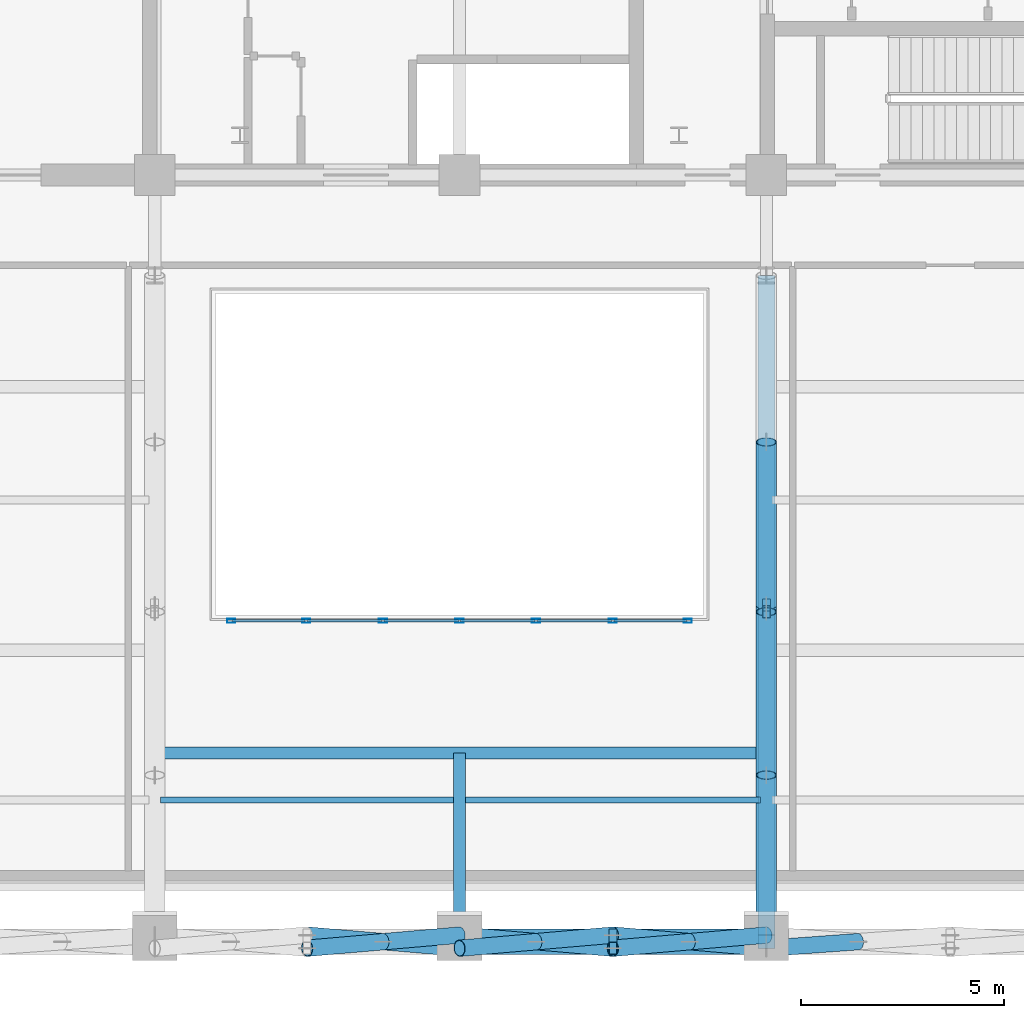
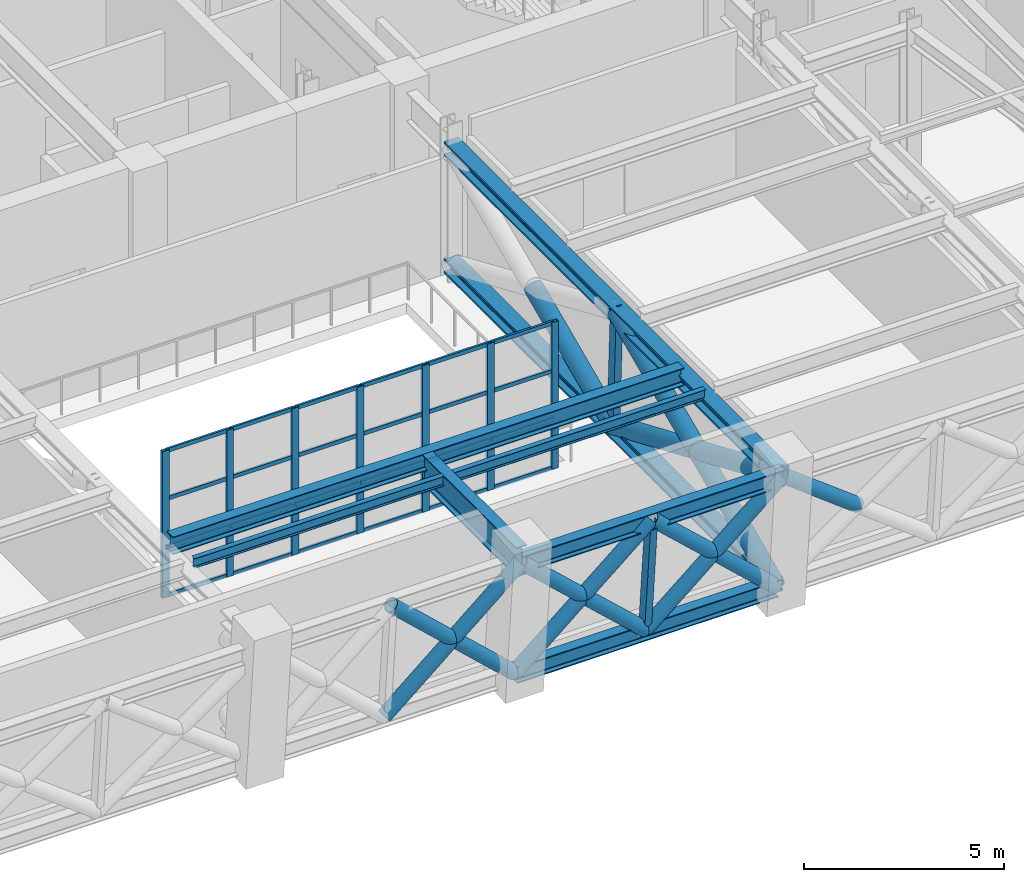
# One storey, part 2 of 12: 51 members, 4 beams, 1 element without a shape of its own.
"""IFC4 building model written with IfcOpenShell, lengths in metres."""

from ifc_helpers import new_model, si_unit, direction, frame, origin, origin_2d, place, context, subcontext, project, spatial, hollow_rectangle, hollow_circle, i_section, extrude, material, layer, layer_set, material_profile, profile_set, type_object, element, aggregate, save


model = new_model("IFC4")

# Units and contexts
model_context = context("Model", 3, precision=1e-05, world=origin(), true_north=direction((0.0, 1.0)))
body_context = subcontext(model_context, "Body", "Model", "MODEL_VIEW")
ifc_project = project(units=[si_unit("LENGTHUNIT", "METRE"), si_unit("AREAUNIT", "SQUARE_METRE"), si_unit("VOLUMEUNIT", "CUBIC_METRE"), si_unit("PLANEANGLEUNIT", "RADIAN"), si_unit("MASSUNIT", "GRAM", prefix="KILO")], contexts=[model_context])

# Site, building, storey
site_placement = place(None, origin())
site = spatial("IfcSite", under=ifc_project, at=site_placement, CompositionType="ELEMENT")
building_placement = place(site_placement, origin())
building = spatial("IfcBuilding", under=site, at=building_placement, Name="Zarnavel Station Tower", CompositionType="ELEMENT")
storey_placement = place(building_placement, frame((0.0, 0.0, 188.39990234375)))
storey = spatial("IfcBuildingStorey", under=building, at=storey_placement, Name="L51", CompositionType="ELEMENT", Elevation=188.39990234375)

# Members
ifc_material_1 = material(Name="Steel S460M", Category="steel")
ifc_material_profile_1 = material_profile(ifc_material_1, i_section(OverallWidth=0.300048828125, OverallDepth=0.5, WebThickness=0.014404296875, FlangeThickness=0.028076171875, FilletRadius=0.027099609375, at=origin_2d()), Name="HEB500")
ifc_profile_set_1 = profile_set([ifc_material_profile_1], Name="Steel S460M")
member_type_1 = type_object("IfcMemberType", Name="BT_CHORD_HEB500", PredefinedType="CHORD", material=ifc_profile_set_1)
for number, where, z_axis, x_axis, name in (
    (1, (28.800048828125, 9.118896484375, 0.400146484375), (1.0, 0.0, 0.0), (0.0, 1.0, 0.0), "L51 Perimeter Belt Truss Bottom Chord 3"),
    (2, (28.800048828125, 8.79443359375, 3.97998046875), (1.0, 0.0, 0.0), (0.0, 1.0, 0.0), "L51 Perimeter Belt Truss Top Chord 3"),
):
    element("IfcMember", number, at=place(storey_placement, frame(where, z_axis=z_axis, x_axis=x_axis)), inside=storey, type_object=member_type_1, Name=name, PredefinedType="CHORD", context=body_context, shape_type="SweptSolid", body=[
        extrude(i_section(OverallWidth=0.300048828125, OverallDepth=0.5, WebThickness=0.014404296875, FlangeThickness=0.028076171875, FilletRadius=0.027099609375, at=origin_2d()), origin(), (0.0, 0.0, 1.0), 7.550048828125),
    ])
ifc_material_2 = material(Name="Steel S460M", Category="steel")
ifc_material_profile_2 = material_profile(ifc_material_2, hollow_circle(Radius=0.203125, WallThickness=0.01611328125, at=origin_2d()), Name="CHS406.4x16")
ifc_profile_set_2 = profile_set([ifc_material_profile_2], Name="Steel S460M")
member_type_2 = type_object("IfcMemberType", Name="BT_DIAG_CHS406", PredefinedType="BRACE", material=ifc_profile_set_2)
member_1_placement = place(storey_placement, frame((25.050048828125, 9.118896484375, 0.400146484375), z_axis=(0.721915308761, -0.062462594098, 0.689156521638), x_axis=(0.086201374242, 0.996277733907, 0.0)))
element("IfcMember", 3, at=member_1_placement, inside=storey, type_object=member_type_2, Name="L51 Belt Truss Continuous Diagonal A2 2", PredefinedType="BRACE", context=body_context, shape_type="SweptSolid", body=[
    extrude(hollow_circle(Radius=0.203125, WallThickness=0.01611328125, at=origin_2d()), origin(), (0.0, 0.0, 1.0), 5.194580078125),
])
member_2_placement = place(storey_placement, frame((28.800048828125, 9.118896484375, 0.400146484375), z_axis=(-0.721894044506, -0.062413755931, 0.689183220615), x_axis=(0.086136993838, -0.996283302225, 0.0)))
element("IfcMember", 4, at=member_2_placement, inside=storey, type_object=member_type_2, Name="L51 Belt Truss Split Diagonal B2 Lower 2", PredefinedType="BRACE", context=body_context, shape_type="SweptSolid", body=[
    extrude(hollow_circle(Radius=0.203125, WallThickness=0.01611328125, at=origin_2d()), origin(), (0.0, 0.0, 1.0), 2.597412109375),
])
member_3_placement = place(storey_placement, frame((26.925048828125, 8.956787109375, 2.190185546875), z_axis=(-0.721936571704, -0.06251143492, 0.689129818641), x_axis=(0.086265753567, -0.996272161491, 0.0)))
element("IfcMember", 5, at=member_3_placement, inside=storey, type_object=member_type_2, Name="L51 Belt Truss Split Diagonal B2 Upper 2", PredefinedType="BRACE", context=body_context, shape_type="SweptSolid", body=[
    extrude(hollow_circle(Radius=0.203125, WallThickness=0.01611328125, at=origin_2d()), origin(), (0.0, 0.0, 1.0), 2.59716796875),
])
member_4_placement = place(storey_placement, frame((28.800048828125, 9.118896484375, 0.400146484375), z_axis=(0.724198970154, -0.062246826499, 0.686775934508), x_axis=(0.085636903541, 0.996326412754, 0.0)))
element("IfcMember", 6, at=member_4_placement, inside=storey, type_object=member_type_2, Name="L51 Belt Truss Continuous Diagonal A1 3", PredefinedType="BRACE", context=body_context, shape_type="SweptSolid", body=[
    extrude(hollow_circle(Radius=0.203125, WallThickness=0.01611328125, at=origin_2d()), origin(), (0.0, 0.0, 1.0), 5.21240234375),
])
member_5_placement = place(storey_placement, frame((32.574951171875, 9.118896484375, 0.400146484375), z_axis=(-0.724177785745, -0.062198169672, 0.686802680777), x_axis=(0.085572938474, -0.996331908653, 0.0)))
element("IfcMember", 7, at=member_5_placement, inside=storey, type_object=member_type_2, Name="L51 Belt Truss Split Diagonal B1 Lower 3", PredefinedType="BRACE", context=body_context, shape_type="SweptSolid", body=[
    extrude(hollow_circle(Radius=0.203125, WallThickness=0.01611328125, at=origin_2d()), origin(), (0.0, 0.0, 1.0), 2.6064453125),
])
member_6_placement = place(storey_placement, frame((30.6875, 8.956787109375, 2.190185546875), z_axis=(-0.724220153243, -0.062295485954, 0.686749184249), x_axis=(0.085700867549, -0.996320912809, 0.0)))
element("IfcMember", 8, at=member_6_placement, inside=storey, type_object=member_type_2, Name="L51 Belt Truss Split Diagonal B1 Upper 3", PredefinedType="BRACE", context=body_context, shape_type="SweptSolid", body=[
    extrude(hollow_circle(Radius=0.203125, WallThickness=0.01611328125, at=origin_2d()), origin(), (0.0, 0.0, 1.0), 2.606201171875),
])
member_7_placement = place(storey_placement, frame((32.574951171875, 9.118896484375, 0.400146484375), z_axis=(0.724221241855, -0.062244715154, 0.686752639806), x_axis=(0.085631405971, 0.99632688527, 0.0)))
element("IfcMember", 9, at=member_7_placement, inside=storey, type_object=member_type_2, Name="L51 Belt Truss Continuous Diagonal A2 3", PredefinedType="BRACE", context=body_context, shape_type="SweptSolid", body=[
    extrude(hollow_circle(Radius=0.203125, WallThickness=0.01611328125, at=origin_2d()), origin(), (0.0, 0.0, 1.0), 5.212646484375),
])
member_8_placement = place(storey_placement, frame((36.35009765625, 9.118896484375, 0.400146484375), z_axis=(-0.724222328454, -0.062193950607, 0.686756093149), x_axis=(0.085561952128, -0.996332852187, 0.0)))
element("IfcMember", 10, at=member_8_placement, inside=storey, type_object=member_type_2, Name="L51 Belt Truss Split Diagonal B2 Lower 3", PredefinedType="BRACE", context=body_context, shape_type="SweptSolid", body=[
    extrude(hollow_circle(Radius=0.203125, WallThickness=0.01611328125, at=origin_2d()), origin(), (0.0, 0.0, 1.0), 2.6064453125),
])
member_9_placement = place(storey_placement, frame((34.46240234375, 8.956787109375, 2.190185546875), z_axis=(-0.724220153243, -0.062295485954, 0.686749184249), x_axis=(0.085700867549, -0.996320912809, 0.0)))
element("IfcMember", 11, at=member_9_placement, inside=storey, type_object=member_type_2, Name="L51 Belt Truss Split Diagonal B2 Upper 3", PredefinedType="BRACE", context=body_context, shape_type="SweptSolid", body=[
    extrude(hollow_circle(Radius=0.203125, WallThickness=0.01611328125, at=origin_2d()), origin(), (0.0, 0.0, 1.0), 2.606201171875),
])
member_10_placement = place(storey_placement, frame((38.612548828125, 8.956787109375, 2.190185546875), z_axis=(-0.783028076663, -0.056190101541, 0.619443059244), x_axis=(0.071575955125, -0.997435152102, 0.0)))
element("IfcMember", 12, at=member_10_placement, inside=storey, type_object=member_type_2, Name="L51 Belt Truss Split Diagonal B1 Upper 4", PredefinedType="BRACE", context=body_context, shape_type="SweptSolid", body=[
    extrude(hollow_circle(Radius=0.203125, WallThickness=0.01611328125, at=origin_2d()), origin(), (0.0, 0.0, 1.0), 2.889404296875),
])
ifc_material_3 = material(Name="Steel S460M", Category="steel")
ifc_material_profile_3 = material_profile(ifc_material_3, hollow_rectangle(XDim=0.199951171875, YDim=0.300048828125, WallThickness=0.012451171875, at=origin_2d()), Name="RHS300x200x12.5")
ifc_profile_set_3 = profile_set([ifc_material_profile_3], Name="Steel S460M")
member_type_3 = type_object("IfcMemberType", Name="BT_POST_RHS300", PredefinedType="POST", material=ifc_profile_set_3)
member_11_placement = place(storey_placement, frame((36.35009765625, 17.234619140625, 0.400146484375), z_axis=(0.0, -0.045305678131, 0.998973170575), x_axis=(1.0, 0.0, 0.0)))
element("IfcMember", 13, at=member_11_placement, inside=storey, type_object=member_type_3, Name="L51 Outrigger Mid-Span Post 3", PredefinedType="POST", context=body_context, shape_type="SweptSolid", body=[
    extrude(hollow_rectangle(XDim=0.199951171875, YDim=0.300048828125, WallThickness=0.012451171875, at=origin_2d()), origin(), (0.0, 0.0, 1.0), 3.58349609375),
])
member_12_placement = place(storey_placement, frame((32.574951171875, 9.118896484375, 0.400146484375), z_axis=(0.0, -0.0902662878, 0.995917665918), x_axis=(1.0, 0.0, 0.0)))
element("IfcMember", 14, at=member_12_placement, inside=storey, type_object=member_type_3, Name="L51 Belt Truss Mid-Bay Post 3", PredefinedType="POST", context=body_context, shape_type="SweptSolid", body=[
    extrude(hollow_rectangle(XDim=0.199951171875, YDim=0.300048828125, WallThickness=0.012451171875, at=origin_2d()), origin(), (0.0, 0.0, 1.0), 3.594482421875),
])

# Curtain wall, members
ifc_material_4 = material(Name="Aluminium Dark Anodised and Solar-Control Glass", Category="aluminium")
ifc_layer = layer(ifc_material_4, 0.179931640625)
ifc_layer_set = layer_set([ifc_layer], Name="CWS5")
curtain_wall_type = type_object("IfcCurtainWallType", Name="CWS5", PredefinedType="NOTDEFINED", material=ifc_layer_set)
curtain_wall_placement = place(storey_placement, origin())
curtain_wall = element("IfcCurtainWall", 15, at=curtain_wall_placement, inside=storey, type_object=curtain_wall_type, Name="L51 Curtain Wall CWS5-L51-AS", PredefinedType="NOTDEFINED")
ifc_material_5 = material(Name="Steel S355J2 (Black Fluoropolymer Coated)", Category="steel")
ifc_material_profile_4 = material_profile(ifc_material_5, hollow_rectangle(XDim=0.10009765625, YDim=0.199951171875, WallThickness=0.008056640625, at=origin_2d()), Name="RHS200x100x8")
ifc_profile_set_4 = profile_set([ifc_material_profile_4], Name="Steel S355J2 (Black Fluoropolymer Coated)")
member_type_4 = type_object("IfcMemberType", Name="CWS5_MUL", PredefinedType="MULLION", material=ifc_profile_set_4)
member_13_placement = place(storey_placement, frame((23.179931640625, 16.85009765625, 0.0), z_axis=(0.0, 0.0, 1.0), x_axis=(0.0, 1.0, 0.0)))
member_13 = element("IfcMember", 16, at=member_13_placement, type_object=member_type_4, Name="CW5 mullion 1", PredefinedType="MULLION", context=body_context, shape_type="SweptSolid", body=[
    extrude(hollow_rectangle(XDim=0.10009765625, YDim=0.199951171875, WallThickness=0.008056640625, at=origin_2d()), origin(), (0.0, 0.0, 1.0), 4.47998046875),
])
member_14_placement = place(storey_placement, frame((25.033447265625, 16.85009765625, 0.0), z_axis=(0.0, 0.0, 1.0), x_axis=(0.0, 1.0, 0.0)))
member_14 = element("IfcMember", 17, at=member_14_placement, type_object=member_type_4, Name="CW5 mullion 2", PredefinedType="MULLION", context=body_context, shape_type="SweptSolid", body=[
    extrude(hollow_rectangle(XDim=0.10009765625, YDim=0.199951171875, WallThickness=0.008056640625, at=origin_2d()), origin(), (0.0, 0.0, 1.0), 4.47998046875),
])
member_15_placement = place(storey_placement, frame((26.916748046875, 16.85009765625, 0.0), z_axis=(0.0, 0.0, 1.0), x_axis=(0.0, 1.0, 0.0)))
member_15 = element("IfcMember", 18, at=member_15_placement, type_object=member_type_4, Name="CW5 mullion 3", PredefinedType="MULLION", context=body_context, shape_type="SweptSolid", body=[
    extrude(hollow_rectangle(XDim=0.10009765625, YDim=0.199951171875, WallThickness=0.008056640625, at=origin_2d()), origin(), (0.0, 0.0, 1.0), 4.47998046875),
])
member_16_placement = place(storey_placement, frame((28.800048828125, 16.85009765625, 0.0), z_axis=(0.0, 0.0, 1.0), x_axis=(0.0, 1.0, 0.0)))
member_16 = element("IfcMember", 19, at=member_16_placement, type_object=member_type_4, Name="CW5 mullion 4", PredefinedType="MULLION", context=body_context, shape_type="SweptSolid", body=[
    extrude(hollow_rectangle(XDim=0.10009765625, YDim=0.199951171875, WallThickness=0.008056640625, at=origin_2d()), origin(), (0.0, 0.0, 1.0), 4.47998046875),
])
member_17_placement = place(storey_placement, frame((30.683349609375, 16.85009765625, 0.0), z_axis=(0.0, 0.0, 1.0), x_axis=(0.0, 1.0, 0.0)))
member_17 = element("IfcMember", 20, at=member_17_placement, type_object=member_type_4, Name="CW5 mullion 5", PredefinedType="MULLION", context=body_context, shape_type="SweptSolid", body=[
    extrude(hollow_rectangle(XDim=0.10009765625, YDim=0.199951171875, WallThickness=0.008056640625, at=origin_2d()), origin(), (0.0, 0.0, 1.0), 4.47998046875),
])
member_18_placement = place(storey_placement, frame((32.566650390625, 16.85009765625, 0.0), z_axis=(0.0, 0.0, 1.0), x_axis=(0.0, 1.0, 0.0)))
member_18 = element("IfcMember", 21, at=member_18_placement, type_object=member_type_4, Name="CW5 mullion 6", PredefinedType="MULLION", context=body_context, shape_type="SweptSolid", body=[
    extrude(hollow_rectangle(XDim=0.10009765625, YDim=0.199951171875, WallThickness=0.008056640625, at=origin_2d()), origin(), (0.0, 0.0, 1.0), 4.47998046875),
])
member_19_placement = place(storey_placement, frame((34.419921875, 16.85009765625, 0.0), z_axis=(0.0, 0.0, 1.0), x_axis=(0.0, 1.0, 0.0)))
member_19 = element("IfcMember", 22, at=member_19_placement, type_object=member_type_4, Name="CW5 mullion 7", PredefinedType="MULLION", context=body_context, shape_type="SweptSolid", body=[
    extrude(hollow_rectangle(XDim=0.10009765625, YDim=0.199951171875, WallThickness=0.008056640625, at=origin_2d()), origin(), (0.0, 0.0, 1.0), 4.47998046875),
])
ifc_material_6 = material(Name="Steel S355J2 (Black Fluoropolymer Coated)", Category="steel")
ifc_material_profile_5 = material_profile(ifc_material_6, hollow_rectangle(XDim=0.06005859375, YDim=0.1201171875, WallThickness=0.0048828125, at=origin_2d()), Name="RHS120x60x5")
ifc_profile_set_5 = profile_set([ifc_material_profile_5], Name="Steel S355J2 (Black Fluoropolymer Coated)")
member_type_5 = type_object("IfcMemberType", Name="CWS5_TRN", PredefinedType="USERDEFINED", material=ifc_profile_set_5)
member_20_placement = place(storey_placement, frame((23.2099609375, 16.85009765625, 0.030029296875), z_axis=(1.0, 0.0, 0.0), x_axis=(0.0, 1.0, 0.0)))
member_20 = element("IfcMember", 23, at=member_20_placement, type_object=member_type_5, Name="CW5 transom 1.1", ObjectType="TRANSOM", PredefinedType="USERDEFINED", context=body_context, shape_type="SweptSolid", body=[
    extrude(hollow_rectangle(XDim=0.06005859375, YDim=0.1201171875, WallThickness=0.0048828125, at=origin_2d()), origin(), (0.0, 0.0, 1.0), 1.79345703125),
])
member_21_placement = place(storey_placement, frame((23.2099609375, 16.85009765625, 1.493408203125), z_axis=(1.0, 0.0, 0.0), x_axis=(0.0, 1.0, 0.0)))
member_21 = element("IfcMember", 24, at=member_21_placement, type_object=member_type_5, Name="CW5 transom 1.2", ObjectType="TRANSOM", PredefinedType="USERDEFINED", context=body_context, shape_type="SweptSolid", body=[
    extrude(hollow_rectangle(XDim=0.06005859375, YDim=0.1201171875, WallThickness=0.0048828125, at=origin_2d()), origin(), (0.0, 0.0, 1.0), 1.79345703125),
])
member_22_placement = place(storey_placement, frame((23.2099609375, 16.85009765625, 2.98681640625), z_axis=(1.0, 0.0, 0.0), x_axis=(0.0, 1.0, 0.0)))
member_22 = element("IfcMember", 25, at=member_22_placement, type_object=member_type_5, Name="CW5 transom 1.3", ObjectType="TRANSOM", PredefinedType="USERDEFINED", context=body_context, shape_type="SweptSolid", body=[
    extrude(hollow_rectangle(XDim=0.06005859375, YDim=0.1201171875, WallThickness=0.0048828125, at=origin_2d()), origin(), (0.0, 0.0, 1.0), 1.79345703125),
])
member_23_placement = place(storey_placement, frame((23.2099609375, 16.85009765625, 4.4501953125), z_axis=(1.0, 0.0, 0.0), x_axis=(0.0, 1.0, 0.0)))
member_23 = element("IfcMember", 26, at=member_23_placement, type_object=member_type_5, Name="CW5 transom 1.4", ObjectType="TRANSOM", PredefinedType="USERDEFINED", context=body_context, shape_type="SweptSolid", body=[
    extrude(hollow_rectangle(XDim=0.06005859375, YDim=0.1201171875, WallThickness=0.0048828125, at=origin_2d()), origin(), (0.0, 0.0, 1.0), 1.79345703125),
])
member_24_placement = place(storey_placement, frame((25.063232421875, 16.85009765625, 0.030029296875), z_axis=(1.0, 0.0, 0.0), x_axis=(0.0, 1.0, 0.0)))
member_24 = element("IfcMember", 27, at=member_24_placement, type_object=member_type_5, Name="CW5 transom 2.1", ObjectType="TRANSOM", PredefinedType="USERDEFINED", context=body_context, shape_type="SweptSolid", body=[
    extrude(hollow_rectangle(XDim=0.06005859375, YDim=0.1201171875, WallThickness=0.0048828125, at=origin_2d()), origin(), (0.0, 0.0, 1.0), 1.823486328125),
])
member_25_placement = place(storey_placement, frame((25.063232421875, 16.85009765625, 1.493408203125), z_axis=(1.0, 0.0, 0.0), x_axis=(0.0, 1.0, 0.0)))
member_25 = element("IfcMember", 28, at=member_25_placement, type_object=member_type_5, Name="CW5 transom 2.2", ObjectType="TRANSOM", PredefinedType="USERDEFINED", context=body_context, shape_type="SweptSolid", body=[
    extrude(hollow_rectangle(XDim=0.06005859375, YDim=0.1201171875, WallThickness=0.0048828125, at=origin_2d()), origin(), (0.0, 0.0, 1.0), 1.823486328125),
])
member_26_placement = place(storey_placement, frame((25.063232421875, 16.85009765625, 2.98681640625), z_axis=(1.0, 0.0, 0.0), x_axis=(0.0, 1.0, 0.0)))
member_26 = element("IfcMember", 29, at=member_26_placement, type_object=member_type_5, Name="CW5 transom 2.3", ObjectType="TRANSOM", PredefinedType="USERDEFINED", context=body_context, shape_type="SweptSolid", body=[
    extrude(hollow_rectangle(XDim=0.06005859375, YDim=0.1201171875, WallThickness=0.0048828125, at=origin_2d()), origin(), (0.0, 0.0, 1.0), 1.823486328125),
])
member_27_placement = place(storey_placement, frame((25.063232421875, 16.85009765625, 4.4501953125), z_axis=(1.0, 0.0, 0.0), x_axis=(0.0, 1.0, 0.0)))
member_27 = element("IfcMember", 30, at=member_27_placement, type_object=member_type_5, Name="CW5 transom 2.4", ObjectType="TRANSOM", PredefinedType="USERDEFINED", context=body_context, shape_type="SweptSolid", body=[
    extrude(hollow_rectangle(XDim=0.06005859375, YDim=0.1201171875, WallThickness=0.0048828125, at=origin_2d()), origin(), (0.0, 0.0, 1.0), 1.823486328125),
])
member_28_placement = place(storey_placement, frame((26.94677734375, 16.85009765625, 0.030029296875), z_axis=(1.0, 0.0, 0.0), x_axis=(0.0, 1.0, 0.0)))
member_28 = element("IfcMember", 31, at=member_28_placement, type_object=member_type_5, Name="CW5 transom 3.1", ObjectType="TRANSOM", PredefinedType="USERDEFINED", context=body_context, shape_type="SweptSolid", body=[
    extrude(hollow_rectangle(XDim=0.06005859375, YDim=0.1201171875, WallThickness=0.0048828125, at=origin_2d()), origin(), (0.0, 0.0, 1.0), 1.8232421875),
])
member_29_placement = place(storey_placement, frame((26.94677734375, 16.85009765625, 1.493408203125), z_axis=(1.0, 0.0, 0.0), x_axis=(0.0, 1.0, 0.0)))
member_29 = element("IfcMember", 32, at=member_29_placement, type_object=member_type_5, Name="CW5 transom 3.2", ObjectType="TRANSOM", PredefinedType="USERDEFINED", context=body_context, shape_type="SweptSolid", body=[
    extrude(hollow_rectangle(XDim=0.06005859375, YDim=0.1201171875, WallThickness=0.0048828125, at=origin_2d()), origin(), (0.0, 0.0, 1.0), 1.8232421875),
])
member_30_placement = place(storey_placement, frame((26.94677734375, 16.85009765625, 2.98681640625), z_axis=(1.0, 0.0, 0.0), x_axis=(0.0, 1.0, 0.0)))
member_30 = element("IfcMember", 33, at=member_30_placement, type_object=member_type_5, Name="CW5 transom 3.3", ObjectType="TRANSOM", PredefinedType="USERDEFINED", context=body_context, shape_type="SweptSolid", body=[
    extrude(hollow_rectangle(XDim=0.06005859375, YDim=0.1201171875, WallThickness=0.0048828125, at=origin_2d()), origin(), (0.0, 0.0, 1.0), 1.8232421875),
])
member_31_placement = place(storey_placement, frame((26.94677734375, 16.85009765625, 4.4501953125), z_axis=(1.0, 0.0, 0.0), x_axis=(0.0, 1.0, 0.0)))
member_31 = element("IfcMember", 34, at=member_31_placement, type_object=member_type_5, Name="CW5 transom 3.4", ObjectType="TRANSOM", PredefinedType="USERDEFINED", context=body_context, shape_type="SweptSolid", body=[
    extrude(hollow_rectangle(XDim=0.06005859375, YDim=0.1201171875, WallThickness=0.0048828125, at=origin_2d()), origin(), (0.0, 0.0, 1.0), 1.8232421875),
])
member_32_placement = place(storey_placement, frame((28.830078125, 16.85009765625, 0.030029296875), z_axis=(1.0, 0.0, 0.0), x_axis=(0.0, 1.0, 0.0)))
member_32 = element("IfcMember", 35, at=member_32_placement, type_object=member_type_5, Name="CW5 transom 4.1", ObjectType="TRANSOM", PredefinedType="USERDEFINED", context=body_context, shape_type="SweptSolid", body=[
    extrude(hollow_rectangle(XDim=0.06005859375, YDim=0.1201171875, WallThickness=0.0048828125, at=origin_2d()), origin(), (0.0, 0.0, 1.0), 1.8232421875),
])
member_33_placement = place(storey_placement, frame((28.830078125, 16.85009765625, 1.493408203125), z_axis=(1.0, 0.0, 0.0), x_axis=(0.0, 1.0, 0.0)))
member_33 = element("IfcMember", 36, at=member_33_placement, type_object=member_type_5, Name="CW5 transom 4.2", ObjectType="TRANSOM", PredefinedType="USERDEFINED", context=body_context, shape_type="SweptSolid", body=[
    extrude(hollow_rectangle(XDim=0.06005859375, YDim=0.1201171875, WallThickness=0.0048828125, at=origin_2d()), origin(), (0.0, 0.0, 1.0), 1.8232421875),
])
member_34_placement = place(storey_placement, frame((28.830078125, 16.85009765625, 2.98681640625), z_axis=(1.0, 0.0, 0.0), x_axis=(0.0, 1.0, 0.0)))
member_34 = element("IfcMember", 37, at=member_34_placement, type_object=member_type_5, Name="CW5 transom 4.3", ObjectType="TRANSOM", PredefinedType="USERDEFINED", context=body_context, shape_type="SweptSolid", body=[
    extrude(hollow_rectangle(XDim=0.06005859375, YDim=0.1201171875, WallThickness=0.0048828125, at=origin_2d()), origin(), (0.0, 0.0, 1.0), 1.8232421875),
])
member_35_placement = place(storey_placement, frame((28.830078125, 16.85009765625, 4.4501953125), z_axis=(1.0, 0.0, 0.0), x_axis=(0.0, 1.0, 0.0)))
member_35 = element("IfcMember", 38, at=member_35_placement, type_object=member_type_5, Name="CW5 transom 4.4", ObjectType="TRANSOM", PredefinedType="USERDEFINED", context=body_context, shape_type="SweptSolid", body=[
    extrude(hollow_rectangle(XDim=0.06005859375, YDim=0.1201171875, WallThickness=0.0048828125, at=origin_2d()), origin(), (0.0, 0.0, 1.0), 1.8232421875),
])
member_36_placement = place(storey_placement, frame((30.71337890625, 16.85009765625, 0.030029296875), z_axis=(1.0, 0.0, 0.0), x_axis=(0.0, 1.0, 0.0)))
member_36 = element("IfcMember", 39, at=member_36_placement, type_object=member_type_5, Name="CW5 transom 5.1", ObjectType="TRANSOM", PredefinedType="USERDEFINED", context=body_context, shape_type="SweptSolid", body=[
    extrude(hollow_rectangle(XDim=0.06005859375, YDim=0.1201171875, WallThickness=0.0048828125, at=origin_2d()), origin(), (0.0, 0.0, 1.0), 1.8232421875),
])
member_37_placement = place(storey_placement, frame((30.71337890625, 16.85009765625, 1.493408203125), z_axis=(1.0, 0.0, 0.0), x_axis=(0.0, 1.0, 0.0)))
member_37 = element("IfcMember", 40, at=member_37_placement, type_object=member_type_5, Name="CW5 transom 5.2", ObjectType="TRANSOM", PredefinedType="USERDEFINED", context=body_context, shape_type="SweptSolid", body=[
    extrude(hollow_rectangle(XDim=0.06005859375, YDim=0.1201171875, WallThickness=0.0048828125, at=origin_2d()), origin(), (0.0, 0.0, 1.0), 1.8232421875),
])
member_38_placement = place(storey_placement, frame((30.71337890625, 16.85009765625, 2.98681640625), z_axis=(1.0, 0.0, 0.0), x_axis=(0.0, 1.0, 0.0)))
member_38 = element("IfcMember", 41, at=member_38_placement, type_object=member_type_5, Name="CW5 transom 5.3", ObjectType="TRANSOM", PredefinedType="USERDEFINED", context=body_context, shape_type="SweptSolid", body=[
    extrude(hollow_rectangle(XDim=0.06005859375, YDim=0.1201171875, WallThickness=0.0048828125, at=origin_2d()), origin(), (0.0, 0.0, 1.0), 1.8232421875),
])
member_39_placement = place(storey_placement, frame((30.71337890625, 16.85009765625, 4.4501953125), z_axis=(1.0, 0.0, 0.0), x_axis=(0.0, 1.0, 0.0)))
member_39 = element("IfcMember", 42, at=member_39_placement, type_object=member_type_5, Name="CW5 transom 5.4", ObjectType="TRANSOM", PredefinedType="USERDEFINED", context=body_context, shape_type="SweptSolid", body=[
    extrude(hollow_rectangle(XDim=0.06005859375, YDim=0.1201171875, WallThickness=0.0048828125, at=origin_2d()), origin(), (0.0, 0.0, 1.0), 1.8232421875),
])
member_40_placement = place(storey_placement, frame((32.5966796875, 16.85009765625, 0.030029296875), z_axis=(1.0, 0.0, 0.0), x_axis=(0.0, 1.0, 0.0)))
member_40 = element("IfcMember", 43, at=member_40_placement, type_object=member_type_5, Name="CW5 transom 6.1", ObjectType="TRANSOM", PredefinedType="USERDEFINED", context=body_context, shape_type="SweptSolid", body=[
    extrude(hollow_rectangle(XDim=0.06005859375, YDim=0.1201171875, WallThickness=0.0048828125, at=origin_2d()), origin(), (0.0, 0.0, 1.0), 1.793212890625),
])
member_41_placement = place(storey_placement, frame((32.5966796875, 16.85009765625, 1.493408203125), z_axis=(1.0, 0.0, 0.0), x_axis=(0.0, 1.0, 0.0)))
member_41 = element("IfcMember", 44, at=member_41_placement, type_object=member_type_5, Name="CW5 transom 6.2", ObjectType="TRANSOM", PredefinedType="USERDEFINED", context=body_context, shape_type="SweptSolid", body=[
    extrude(hollow_rectangle(XDim=0.06005859375, YDim=0.1201171875, WallThickness=0.0048828125, at=origin_2d()), origin(), (0.0, 0.0, 1.0), 1.793212890625),
])
member_42_placement = place(storey_placement, frame((32.5966796875, 16.85009765625, 2.98681640625), z_axis=(1.0, 0.0, 0.0), x_axis=(0.0, 1.0, 0.0)))
member_42 = element("IfcMember", 45, at=member_42_placement, type_object=member_type_5, Name="CW5 transom 6.3", ObjectType="TRANSOM", PredefinedType="USERDEFINED", context=body_context, shape_type="SweptSolid", body=[
    extrude(hollow_rectangle(XDim=0.06005859375, YDim=0.1201171875, WallThickness=0.0048828125, at=origin_2d()), origin(), (0.0, 0.0, 1.0), 1.793212890625),
])
member_43_placement = place(storey_placement, frame((32.5966796875, 16.85009765625, 4.4501953125), z_axis=(1.0, 0.0, 0.0), x_axis=(0.0, 1.0, 0.0)))
member_43 = element("IfcMember", 46, at=member_43_placement, type_object=member_type_5, Name="CW5 transom 6.4", ObjectType="TRANSOM", PredefinedType="USERDEFINED", context=body_context, shape_type="SweptSolid", body=[
    extrude(hollow_rectangle(XDim=0.06005859375, YDim=0.1201171875, WallThickness=0.0048828125, at=origin_2d()), origin(), (0.0, 0.0, 1.0), 1.793212890625),
])
aggregate(curtain_wall, [member_13, member_14, member_15, member_16, member_17, member_18, member_19, member_20, member_21, member_22, member_23, member_24, member_25, member_26, member_27, member_28, member_29, member_30, member_31, member_32, member_33, member_34, member_35, member_36, member_37, member_38, member_39, member_40, member_41, member_42, member_43])

# Beams
ifc_material_7 = material(Name="Steel S355J2", Category="steel")
ifc_material_profile_6 = material_profile(ifc_material_7, i_section(OverallWidth=0.300048828125, OverallDepth=0.5400390625, WebThickness=0.012451171875, FlangeThickness=0.02392578125, FilletRadius=0.027099609375, at=origin_2d()), Name="HEA550")
ifc_profile_set_6 = profile_set([ifc_material_profile_6], Name="Steel S355J2")
beam_type_1 = type_object("IfcBeamType", Name="FB_HEA550", PredefinedType="BEAM", material=ifc_profile_set_6)
beam_1_placement = place(storey_placement, frame((21.445068359375, 13.60009765625, 4.210205078125), z_axis=(1.0, 0.0, 0.0), x_axis=(0.0, 1.0, 0.0)))
element("IfcBeam", 47, at=beam_1_placement, inside=storey, type_object=beam_type_1, Name="L51 Atrium South Edge Girder", PredefinedType="BEAM", context=body_context, shape_type="SweptSolid", body=[
    extrude(i_section(OverallWidth=0.300048828125, OverallDepth=0.5400390625, WebThickness=0.012451171875, FlangeThickness=0.02392578125, FilletRadius=0.027099609375, at=origin_2d()), origin(), (0.0, 0.0, 1.0), 14.760009765625),
])
ifc_material_8 = material(Name="Steel S355J2", Category="steel")
ifc_material_profile_7 = material_profile(ifc_material_8, i_section(OverallWidth=0.300048828125, OverallDepth=0.89990234375, WebThickness=0.0185546875, FlangeThickness=0.034912109375, FilletRadius=0.030029296875, at=origin_2d()), Name="HEB900")
ifc_profile_set_7 = profile_set([ifc_material_profile_7], Name="Steel S355J2")
beam_type_2 = type_object("IfcBeamType", Name="FG_HEB900", PredefinedType="USERDEFINED", material=ifc_profile_set_7)
beam_2_placement = place(storey_placement, frame((28.800048828125, 8.749267578125, 4.030029296875), z_axis=(0.0, 1.0, 0.0), x_axis=(-1.0, 0.0, 0.0)))
element("IfcBeam", 48, at=beam_2_placement, inside=storey, type_object=beam_type_2, Name="L51 Central Atrium-South Girder", ObjectType="GIRDER", PredefinedType="USERDEFINED", context=body_context, shape_type="SweptSolid", body=[
    extrude(i_section(OverallWidth=0.300048828125, OverallDepth=0.89990234375, WebThickness=0.0185546875, FlangeThickness=0.034912109375, FilletRadius=0.030029296875, at=origin_2d()), origin(), (0.0, 0.0, 1.0), 4.850830078125),
])
ifc_material_9 = material(Name="Steel S355J2", Category="steel")
ifc_material_profile_8 = material_profile(ifc_material_9, i_section(OverallWidth=0.14990234375, OverallDepth=0.300048828125, WebThickness=0.007080078125, FlangeThickness=0.0107421875, FilletRadius=0.014892578125, at=origin_2d()), Name="IPE300")
ifc_profile_set_8 = profile_set([ifc_material_profile_8], Name="Steel S355J2")
beam_type_3 = type_object("IfcBeamType", Name="FJ_IPE300", PredefinedType="JOIST", material=ifc_profile_set_8)
beam_3_placement = place(storey_placement, frame((21.445068359375, 12.439453125, 4.330078125), z_axis=(1.0, 0.0, 0.0), x_axis=(0.0, 1.0, 0.0)))
element("IfcBeam", 49, at=beam_3_placement, inside=storey, type_object=beam_type_3, Name="L51 Mid-West Joist 1", PredefinedType="JOIST", context=body_context, shape_type="SweptSolid", body=[
    extrude(i_section(OverallWidth=0.14990234375, OverallDepth=0.300048828125, WebThickness=0.007080078125, FlangeThickness=0.0107421875, FilletRadius=0.014892578125, at=origin_2d()), origin(), (0.0, 0.0, 1.0), 7.2099609375),
])
beam_4_placement = place(storey_placement, frame((28.945068359375, 12.439453125, 4.330078125), z_axis=(1.0, 0.0, 0.0), x_axis=(0.0, 1.0, 0.0)))
element("IfcBeam", 50, at=beam_4_placement, inside=storey, type_object=beam_type_3, Name="L51 Mid-East Joist 1", PredefinedType="JOIST", context=body_context, shape_type="SweptSolid", body=[
    extrude(i_section(OverallWidth=0.14990234375, OverallDepth=0.300048828125, WebThickness=0.007080078125, FlangeThickness=0.0107421875, FilletRadius=0.014892578125, at=origin_2d()), origin(), (0.0, 0.0, 1.0), 7.260009765625),
])

# Members
ifc_material_10 = material(Name="Steel S460M", Category="steel")
ifc_material_profile_9 = material_profile(ifc_material_10, i_section(OverallWidth=0.41796875, OverallDepth=0.431884765625, WebThickness=0.034912109375, FlangeThickness=0.055908203125, FilletRadius=0.014892578125, at=origin_2d()), Name="HD400x421")
ifc_profile_set_9 = profile_set([ifc_material_profile_9], Name="Steel S460M")
member_type_6 = type_object("IfcMemberType", Name="OT_CHORD_HD421", PredefinedType="CHORD", material=ifc_profile_set_9)
member_44_placement = place(storey_placement, frame((36.35009765625, 9.118896484375, 0.400146484375), z_axis=(0.0, 1.0, 0.0), x_axis=(-1.0, 0.0, 0.0)))
element("IfcMember", 51, at=member_44_placement, inside=storey, type_object=member_type_6, Name="L51 Outrigger Bottom Chord 3", PredefinedType="CHORD", context=body_context, shape_type="SweptSolid", body=[
    extrude(i_section(OverallWidth=0.41796875, OverallDepth=0.431884765625, WebThickness=0.034912109375, FlangeThickness=0.055908203125, FilletRadius=0.014892578125, at=origin_2d()), origin(), (0.0, 0.0, 1.0), 16.231201171875),
])
member_45_placement = place(storey_placement, frame((36.35009765625, 8.79443359375, 3.97998046875), z_axis=(0.0, 1.0, 0.0), x_axis=(-1.0, 0.0, 0.0)))
element("IfcMember", 52, at=member_45_placement, inside=storey, type_object=member_type_6, Name="L51 Outrigger Top Chord 3", PredefinedType="CHORD", context=body_context, shape_type="SweptSolid", body=[
    extrude(i_section(OverallWidth=0.41796875, OverallDepth=0.431884765625, WebThickness=0.034912109375, FlangeThickness=0.055908203125, FilletRadius=0.014892578125, at=origin_2d()), origin(), (0.0, 0.0, 1.0), 16.5556640625),
])
ifc_material_11 = material(Name="Steel S460M", Category="steel")
ifc_material_profile_10 = material_profile(ifc_material_11, hollow_circle(Radius=0.25390625, WallThickness=0.02001953125, at=origin_2d()), Name="CHS508x20")
ifc_profile_set_10 = profile_set([ifc_material_profile_10], Name="Steel S460M")
member_type_7 = type_object("IfcMemberType", Name="OT_DIAG_CHS508", PredefinedType="STRUT", material=ifc_profile_set_10)
member_46_placement = place(storey_placement, frame((36.35009765625, 17.234619140625, 0.400146484375), z_axis=(0.0, 0.913417374694, 0.407024200271), x_axis=(-1.0, 0.0, 0.0)))
element("IfcMember", 53, at=member_46_placement, inside=storey, type_object=member_type_7, Name="L51 Outrigger Split Inner Strut Lower 3", PredefinedType="STRUT", context=body_context, shape_type="SweptSolid", body=[
    extrude(hollow_circle(Radius=0.25390625, WallThickness=0.02001953125, at=origin_2d()), origin(), (0.0, 0.0, 1.0), 4.39794921875),
])
member_47_placement = place(storey_placement, frame((36.35009765625, 17.234619140625, 0.400146484375), z_axis=(0.0, -0.920615143346, 0.390471199759), x_axis=(1.0, 0.0, 0.0)))
element("IfcMember", 54, at=member_47_placement, inside=storey, type_object=member_type_7, Name="L51 Outrigger Continuous Outer Diagonal 3", PredefinedType="STRUT", context=body_context, shape_type="SweptSolid", body=[
    extrude(hollow_circle(Radius=0.25390625, WallThickness=0.02001953125, at=origin_2d()), origin(), (0.0, 0.0, 1.0), 9.16796875),
])
member_48_placement = place(storey_placement, frame((36.35009765625, 9.118896484375, 0.400146484375), z_axis=(0.0, 0.910285247028, 0.413981604715), x_axis=(-1.0, 0.0, 0.0)))
element("IfcMember", 55, at=member_48_placement, inside=storey, type_object=member_type_7, Name="L51 Outrigger Split Outer Strut Lower 3", PredefinedType="STRUT", context=body_context, shape_type="SweptSolid", body=[
    extrude(hollow_circle(Radius=0.25390625, WallThickness=0.02001953125, at=origin_2d()), origin(), (0.0, 0.0, 1.0), 4.323974609375),
])
member_49_placement = place(storey_placement, frame((36.35009765625, 13.054931640625, 2.190185546875), z_axis=(0.0, 0.913447207168, 0.406957245564), x_axis=(-1.0, 0.0, 0.0)))
element("IfcMember", 56, at=member_49_placement, inside=storey, type_object=member_type_7, Name="L51 Outrigger Split Outer Strut Upper 3", PredefinedType="STRUT", context=body_context, shape_type="SweptSolid", body=[
    extrude(hollow_circle(Radius=0.25390625, WallThickness=0.02001953125, at=origin_2d()), origin(), (0.0, 0.0, 1.0), 4.39794921875),
])

save(model, "model.ifc")
